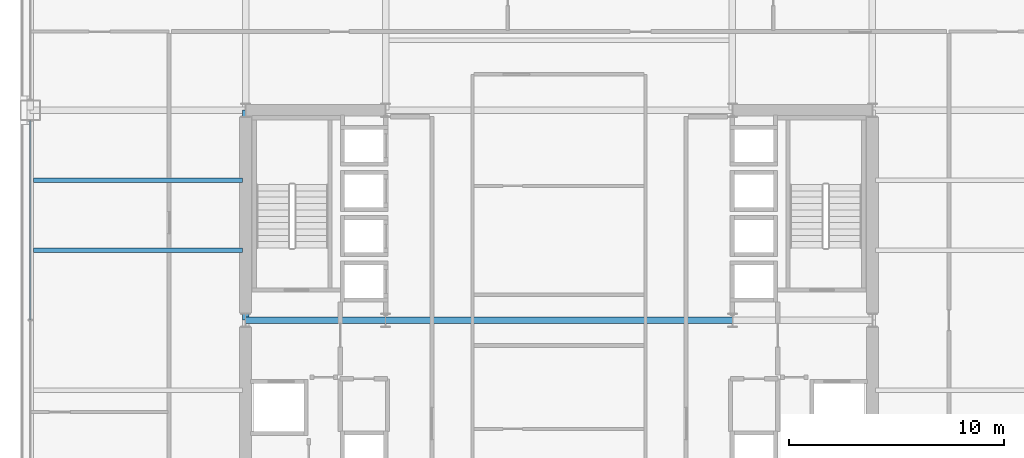
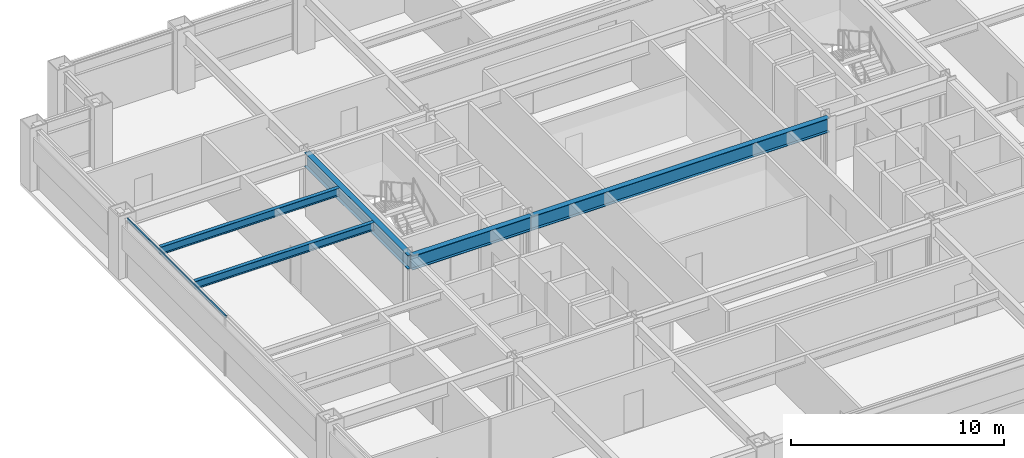
# One storey, part 8 of 31: 5 beams, 1 member, 1 element without a shape of its own.
"""IFC4 building model written with IfcOpenShell, lengths in metres."""

from ifc_helpers import new_model, si_unit, direction, frame, origin, origin_2d, place, context, subcontext, project, spatial, hollow_rectangle, i_section, extrude, material, layer, layer_set, material_profile, profile_set, type_object, element, aggregate, save


model = new_model("IFC4")

# Units and contexts
model_context = context("Model", 3, precision=1e-05, world=origin(), true_north=direction((0.0, 1.0)))
body_context = subcontext(model_context, "Body", "Model", "MODEL_VIEW")
ifc_project = project(units=[si_unit("LENGTHUNIT", "METRE"), si_unit("AREAUNIT", "SQUARE_METRE"), si_unit("VOLUMEUNIT", "CUBIC_METRE"), si_unit("PLANEANGLEUNIT", "RADIAN"), si_unit("MASSUNIT", "GRAM", prefix="KILO")], contexts=[model_context])

# Site, building, storey
site_placement = place(None, origin())
site = spatial("IfcSite", under=ifc_project, at=site_placement, CompositionType="ELEMENT")
building_placement = place(site_placement, origin())
building = spatial("IfcBuilding", under=site, at=building_placement, Name="Brelmoor Portico Tower", CompositionType="ELEMENT")
storey_placement = place(building_placement, frame((0.0, 0.0, 42.0)))
storey = spatial("IfcBuildingStorey", under=building, at=storey_placement, Name="L10", CompositionType="ELEMENT", Elevation=42.0)

# Beams
ifc_material_1 = material(Name="Steel Q355B", Category="steel")
ifc_material_profile_1 = material_profile(ifc_material_1, i_section(OverallWidth=0.199951171875, OverallDepth=0.449951171875, WebThickness=0.009033203125, FlangeThickness=0.013916015625, at=origin_2d()), Name="HN 450x200x9x14")
ifc_profile_set_1 = profile_set([ifc_material_profile_1], Name="Steel Q355B")
beam_type_1 = type_object("IfcBeamType", Name="BM-JS-450", PredefinedType="JOIST", material=ifc_profile_set_1)
for number, where, z_axis, x_axis, name in (
    (1, (-24.39990234375, 3.25, 3.175048828125), (1.0, 0.0, 0.0), (0.0, 1.0, 0.0), "L10 Secondary Wing Joist JS-W07"),
    (2, (-24.39990234375, 6.5, 3.175048828125), (1.0, 0.0, 0.0), (0.0, 1.0, 0.0), "L10 Secondary Wing Joist JS-W08"),
):
    element("IfcBeam", number, at=place(storey_placement, frame(where, z_axis=z_axis, x_axis=x_axis)), inside=storey, type_object=beam_type_1, Name=name, PredefinedType="JOIST", context=body_context, shape_type="SweptSolid", body=[
        extrude(i_section(OverallWidth=0.199951171875, OverallDepth=0.449951171875, WebThickness=0.009033203125, FlangeThickness=0.013916015625, at=origin_2d()), origin(), (0.0, 0.0, 1.0), 9.699951171875),
    ])
ifc_material_profile_2 = material_profile(ifc_material_1, i_section(OverallWidth=0.300048828125, OverallDepth=0.800048828125, WebThickness=0.013916015625, FlangeThickness=0.02587890625, at=origin_2d()), Name="HN 800x300x14x26")
ifc_profile_set_2 = profile_set([ifc_material_profile_2], Name="Steel Q355B")
beam_type_2 = type_object("IfcBeamType", Name="BM-PG-800", PredefinedType="BEAM", material=ifc_profile_set_2)
beam_1_placement = place(storey_placement, frame((-14.550048828125, 0.0, 3.0), z_axis=(0.0, 1.0, 0.0), x_axis=(-1.0, 0.0, 0.0)))
element("IfcBeam", 3, at=beam_1_placement, inside=storey, type_object=beam_type_2, Name="L10 Primary Floor Girder PG-05", PredefinedType="BEAM", context=body_context, shape_type="SweptSolid", body=[
    extrude(i_section(OverallWidth=0.300048828125, OverallDepth=0.800048828125, WebThickness=0.013916015625, FlangeThickness=0.02587890625, at=origin_2d()), origin(), (0.0, 0.0, 1.0), 9.75),
])
beam_2_placement = place(storey_placement, frame((-14.550048828125, 0.0, 3.0), z_axis=(1.0, 0.0, 0.0), x_axis=(0.0, 1.0, 0.0)))
element("IfcBeam", 4, at=beam_2_placement, inside=storey, type_object=beam_type_2, Name="L10 Primary Floor Girder PG-24", PredefinedType="BEAM", context=body_context, shape_type="SweptSolid", body=[
    extrude(i_section(OverallWidth=0.300048828125, OverallDepth=0.800048828125, WebThickness=0.013916015625, FlangeThickness=0.02587890625, at=origin_2d()), origin(), (0.0, 0.0, 1.0), 6.5),
])
beam_3_placement = place(storey_placement, frame((-8.050048828125, 0.0, 3.0), z_axis=(1.0, 0.0, 0.0), x_axis=(0.0, 1.0, 0.0)))
element("IfcBeam", 5, at=beam_3_placement, inside=storey, type_object=beam_type_2, Name="L10 Primary Floor Girder PG-25", PredefinedType="BEAM", context=body_context, shape_type="SweptSolid", body=[
    extrude(i_section(OverallWidth=0.300048828125, OverallDepth=0.800048828125, WebThickness=0.013916015625, FlangeThickness=0.02587890625, at=origin_2d()), origin(), (0.0, 0.0, 1.0), 16.10009765625),
])

# Curtain wall, member
ifc_material_2 = material(Name="Anodised Aluminium Alloy 6063-T6", Category="aluminium")
ifc_layer = layer(ifc_material_2, 0.179931640625)
ifc_layer_set = layer_set([ifc_layer], Name="Anodised Aluminium Alloy 6063-T6")
curtain_wall_type = type_object("IfcCurtainWallType", Name="CW-TOWER-Z1-XB", PredefinedType="NOTDEFINED", material=ifc_layer_set)
curtain_wall_placement = place(storey_placement, origin())
curtain_wall = element("IfcCurtainWall", 6, at=curtain_wall_placement, inside=storey, type_object=curtain_wall_type, Name="L10 Curtain Wall CW-L10-03-2", PredefinedType="NOTDEFINED")
ifc_material_profile_3 = material_profile(ifc_material_2, hollow_rectangle(XDim=0.06494140625, YDim=0.139892578125, WallThickness=0.00390625, at=origin_2d()), Name="ALU TRANSOM 65x140")
ifc_profile_set_3 = profile_set([ifc_material_profile_3], Name="Anodised Aluminium Alloy 6063-T6")
member_type = type_object("IfcMemberType", Name="MB-CW-TRAN-140", PredefinedType="USERDEFINED", material=ifc_profile_set_3)
member_placement = place(storey_placement, frame((-24.550048828125, 0.0, 3.330078125), z_axis=(0.0, 1.0, 0.0), x_axis=(-1.0, 0.0, 0.0)))
member = element("IfcMember", 7, at=member_placement, type_object=member_type, Name="CW-L10-03-2 Transom 1-01", ObjectType="TRANSOM", PredefinedType="USERDEFINED", context=body_context, shape_type="SweptSolid", body=[
    extrude(hollow_rectangle(XDim=0.06494140625, YDim=0.139892578125, WallThickness=0.00390625, at=origin_2d()), origin(), (0.0, 0.0, 1.0), 9.264892578125),
])
aggregate(curtain_wall, [member])

save(model, "model.ifc")
